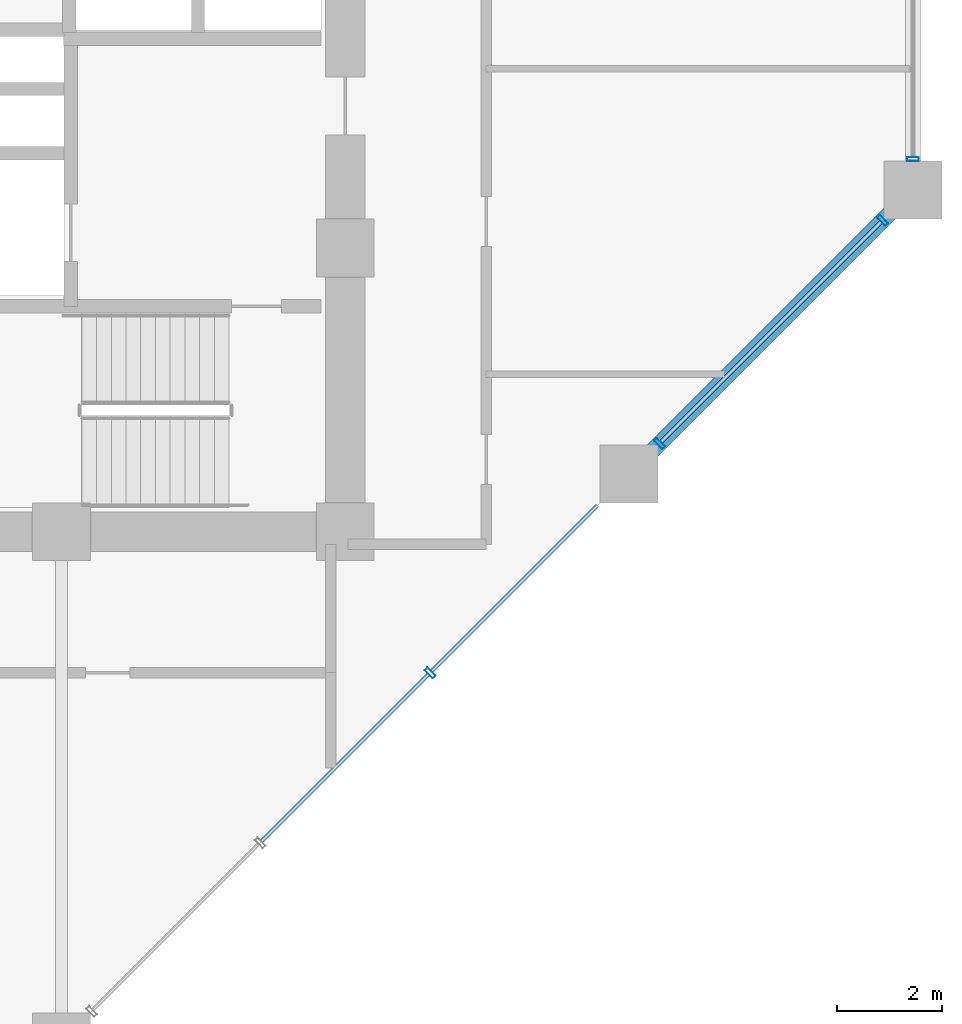
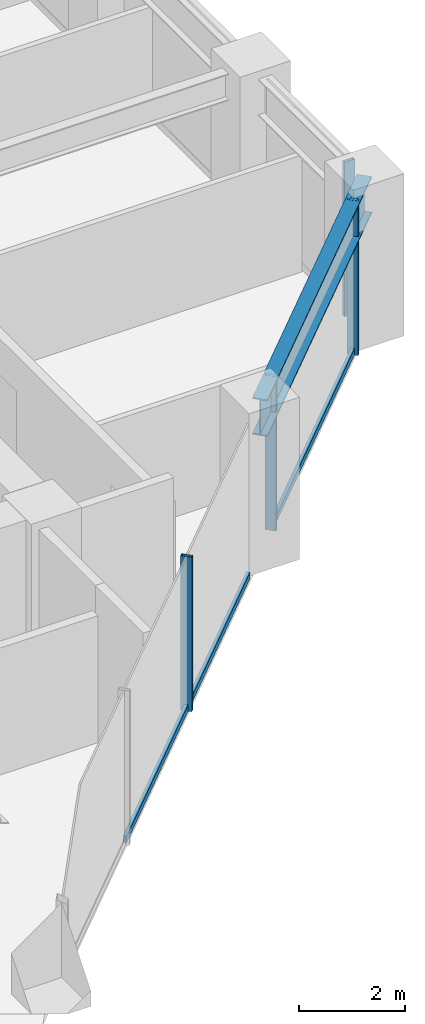
# One storey, part 8 of 25: 7 members, 1 beam, 2 elements without a shape of their own.
"""IFC4 building model written with IfcOpenShell, lengths in metres."""

from ifc_helpers import new_model, si_unit, direction, frame, origin, origin_2d, place, context, subcontext, project, spatial, hollow_rectangle, i_section, extrude, material, layer, layer_set, material_profile, profile_set, type_object, element, aggregate, save


model = new_model("IFC4")

# Units and contexts
model_context = context("Model", 3, precision=1e-05, world=origin(), true_north=direction((0.0, 1.0)))
body_context = subcontext(model_context, "Body", "Model", "MODEL_VIEW")
ifc_project = project(units=[si_unit("LENGTHUNIT", "METRE"), si_unit("AREAUNIT", "SQUARE_METRE"), si_unit("VOLUMEUNIT", "CUBIC_METRE"), si_unit("PLANEANGLEUNIT", "RADIAN"), si_unit("MASSUNIT", "GRAM", prefix="KILO")], contexts=[model_context])

# Site, building, storey
site_placement = place(None, origin())
site = spatial("IfcSite", under=ifc_project, at=site_placement, CompositionType="ELEMENT")
building_placement = place(site_placement, origin())
building = spatial("IfcBuilding", under=site, at=building_placement, Name="Surkhivell Harbour Commons", CompositionType="ELEMENT")
storey_placement = place(building_placement, frame((0.0, 0.0, 124.5)))
storey = spatial("IfcBuildingStorey", under=building, at=storey_placement, Name="L32", CompositionType="ELEMENT", Elevation=124.5)

# Beam
ifc_material_1 = material(Name="Steel S460", Category="steel")
ifc_material_profile_1 = material_profile(ifc_material_1, i_section(OverallWidth=0.2939453125, OverallDepth=0.85107421875, WebThickness=0.01611328125, FlangeThickness=0.02685546875, at=origin_2d()), Name="UB838x292x226")
ifc_profile_set_1 = profile_set([ifc_material_profile_1], Name="Steel S460")
beam_type = type_object("IfcBeamType", Name="BM-SPN-838", PredefinedType="SPANDREL", material=ifc_profile_set_1)
beam_placement = place(storey_placement, frame((16.199951171875, -9.699951171875, 3.14453125), z_axis=(0.707122765516, 0.707090796496, 0.0), x_axis=(-0.707090796496, 0.707122765516, 0.0)))
element("IfcBeam", 1, at=beam_placement, inside=storey, type_object=beam_type, Name="L32 Tube Spandrel (16.2,-9.7)", PredefinedType="SPANDREL", context=body_context, shape_type="SweptSolid", body=[
    extrude(i_section(OverallWidth=0.2939453125, OverallDepth=0.85107421875, WebThickness=0.01611328125, FlangeThickness=0.02685546875, at=origin_2d()), origin(), (0.0, 0.0, 1.0), 7.63671875),
])

# Curtain wall, members
ifc_material_2 = material(Name="Anodised pale-metal aluminium and insulated glazing", Category="aluminium")
ifc_layer = layer(ifc_material_2, 0.205078125)
ifc_layer_set = layer_set([ifc_layer], Name="Anodised pale-metal aluminium and insulated glazing")
curtain_wall_type = type_object("IfcCurtainWallType", Name="CW-SYS-Z2", PredefinedType="NOTDEFINED", material=ifc_layer_set)
curtain_wall_1_placement = place(storey_placement, origin())
curtain_wall_1 = element("IfcCurtainWall", 2, at=curtain_wall_1_placement, inside=storey, type_object=curtain_wall_type, Name="L32 Curtain Wall CW-L32-E01", PredefinedType="NOTDEFINED")
ifc_material_3 = material(Name="Anodised pale-metal aluminium alloy 6063-T6", Category="aluminium")
ifc_material_profile_2 = material_profile(ifc_material_3, hollow_rectangle(XDim=0.074951171875, YDim=0.219970703125, WallThickness=0.00390625, at=origin_2d()), Name="ALU-MULL-75x220")
ifc_profile_set_2 = profile_set([ifc_material_profile_2], Name="Anodised pale-metal aluminium alloy 6063-T6")
member_type_1 = type_object("IfcMemberType", Name="CWM-220", PredefinedType="MULLION", material=ifc_profile_set_2)
member_1_placement = place(storey_placement, frame((12.416015625, -13.48388671875, 0.0), z_axis=(0.0, 0.0, 1.0), x_axis=(0.707106781187, 0.707106781187, 0.0)))
member_1 = element("IfcMember", 3, at=member_1_placement, type_object=member_type_1, Name="CW-Z2 mullion 4", PredefinedType="MULLION", context=body_context, shape_type="SweptSolid", body=[
    extrude(hollow_rectangle(XDim=0.074951171875, YDim=0.219970703125, WallThickness=0.00390625, at=origin_2d()), origin(), (0.0, 0.0, 1.0), 3.570068359375),
])
member_2_placement = place(storey_placement, frame((16.7783203125, -9.121826171875, 0.0), z_axis=(0.0, 0.0, 1.0), x_axis=(0.707106781187, 0.707106781187, 0.0)))
member_2 = element("IfcMember", 4, at=member_2_placement, type_object=member_type_1, Name="CW-Z2 mullion 5", PredefinedType="MULLION", context=body_context, shape_type="SweptSolid", body=[
    extrude(hollow_rectangle(XDim=0.074951171875, YDim=0.219970703125, WallThickness=0.00390625, at=origin_2d()), origin(), (0.0, 0.0, 1.0), 3.570068359375),
])
member_3_placement = place(storey_placement, frame((21.021728515625, -4.878173828125, 0.0), z_axis=(0.0, 0.0, 1.0), x_axis=(0.707106781187, 0.707106781187, 0.0)))
member_3 = element("IfcMember", 5, at=member_3_placement, type_object=member_type_1, Name="CW-Z2 mullion 6", PredefinedType="MULLION", context=body_context, shape_type="SweptSolid", body=[
    extrude(hollow_rectangle(XDim=0.074951171875, YDim=0.219970703125, WallThickness=0.00390625, at=origin_2d()), origin(), (0.0, 0.0, 1.0), 3.570068359375),
])

# Curtain wall, member
curtain_wall_2_placement = place(storey_placement, origin())
curtain_wall_2 = element("IfcCurtainWall", 6, at=curtain_wall_2_placement, inside=storey, type_object=curtain_wall_type, Name="L32 Curtain Wall CW-L32-E02", PredefinedType="NOTDEFINED")
member_4_placement = place(storey_placement, frame((21.60009765625, -3.71044921875, 0.0), z_axis=(0.0, 0.0, 1.0), x_axis=(0.0, 1.0, 0.0)))
member_4 = element("IfcMember", 7, at=member_4_placement, type_object=member_type_1, Name="CW-Z2 mullion 1", PredefinedType="MULLION", context=body_context, shape_type="SweptSolid", body=[
    extrude(hollow_rectangle(XDim=0.074951171875, YDim=0.219970703125, WallThickness=0.00390625, at=origin_2d()), origin(), (0.0, 0.0, 1.0), 3.570068359375),
])
aggregate(curtain_wall_2, [member_4])

# Member
ifc_material_profile_3 = material_profile(ifc_material_3, hollow_rectangle(XDim=0.074951171875, YDim=0.14990234375, WallThickness=0.00341796875, at=origin_2d()), Name="ALU-TRAN-75x150")
ifc_profile_set_3 = profile_set([ifc_material_profile_3], Name="Anodised pale-metal aluminium alloy 6063-T6")
member_type_2 = type_object("IfcMemberType", Name="CWT-150", PredefinedType="USERDEFINED", material=ifc_profile_set_3)
member_5_placement = place(storey_placement, frame((9.21044921875, -16.689697265625, 0.074951171875), z_axis=(0.707106781187, 0.707106781187, 0.0), x_axis=(-0.707106781187, 0.707106781187, 0.0)))
member_5 = element("IfcMember", 8, at=member_5_placement, type_object=member_type_2, Name="CW-Z2 transom 3.1", ObjectType="TRANSOM", PredefinedType="USERDEFINED", context=body_context, shape_type="SweptSolid", body=[
    extrude(hollow_rectangle(XDim=0.074951171875, YDim=0.14990234375, WallThickness=0.00341796875, at=origin_2d()), origin(), (0.0, 0.0, 1.0), 4.49609375),
])

member_6_placement = place(storey_placement, frame((12.442626953125, -13.457275390625, 0.074951171875), z_axis=(0.707106781187, 0.707106781187, 0.0), x_axis=(-0.707106781187, 0.707106781187, 0.0)))
member_6 = element("IfcMember", 9, at=member_6_placement, type_object=member_type_2, Name="CW-Z2 transom 4.1", ObjectType="TRANSOM", PredefinedType="USERDEFINED", context=body_context, shape_type="SweptSolid", body=[
    extrude(hollow_rectangle(XDim=0.074951171875, YDim=0.14990234375, WallThickness=0.00341796875, at=origin_2d()), origin(), (0.0, 0.0, 1.0), 4.45849609375),
])

member_7_placement = place(storey_placement, frame((16.8046875, -9.09521484375, 0.074951171875), z_axis=(0.707127378829, 0.707086182944, 0.0), x_axis=(-0.707086182944, 0.707127378829, 0.0)))
member_7 = element("IfcMember", 10, at=member_7_placement, type_object=member_type_2, Name="CW-Z2 transom 5.1", ObjectType="TRANSOM", PredefinedType="USERDEFINED", context=body_context, shape_type="SweptSolid", body=[
    extrude(hollow_rectangle(XDim=0.074951171875, YDim=0.14990234375, WallThickness=0.00341796875, at=origin_2d()), origin(), (0.0, 0.0, 1.0), 5.92626953125),
])

aggregate(curtain_wall_1, [member_1, member_5, member_6, member_2, member_3, member_7])

save(model, "model.ifc")
